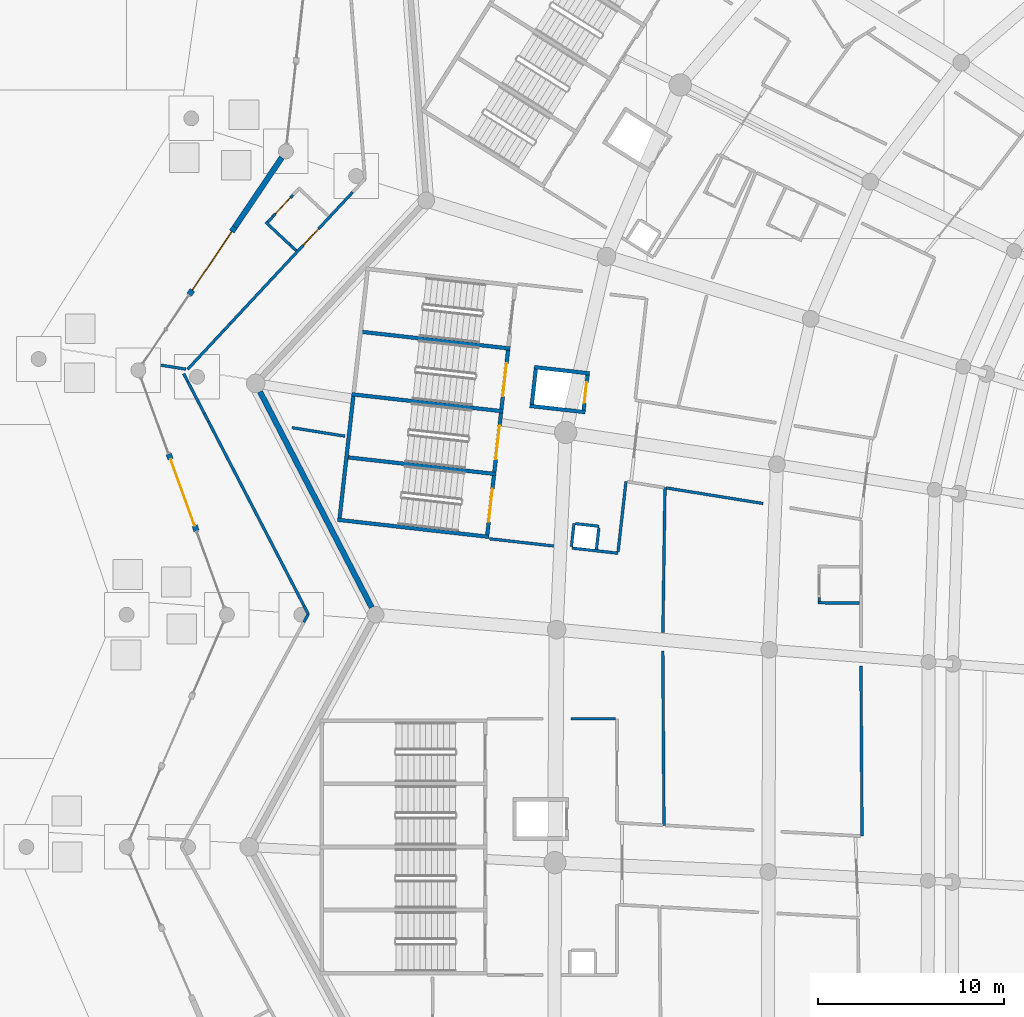
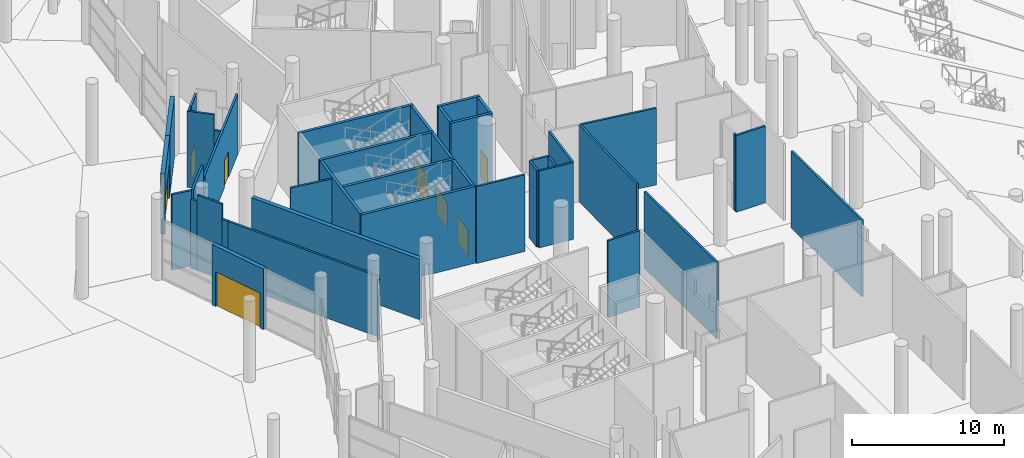
# One storey, part 134 of 255: 44 walls, 8 doors, 8 openings.
"""IFC4 building model written with IfcOpenShell, lengths in metres."""

import ifcopenshell
import ifcopenshell.guid

model = None  # the IFC model being written
_history = None  # IfcOwnerHistory: only IFC2X3 demands one
_inside = {}  # id of a spatial element -> (the spatial element, [elements in it])
_under = {}  # id of a project, library or spatial element -> (it, [spatial elements below it])
_declared = {}  # id of a project -> (the project, [libraries it declares])
_typed = {}  # id of a type object -> (the type object, [elements of that type])
_made_of = {}  # id of a material, layer set ... -> (it, [elements and type objects made of it])


def new_model(schema):
    """Start an empty IFC model of exactly this schema.

    Asked for "IFC4X3", IfcOpenShell would pick the latest addendum, in which some entities
    have other attributes; the version numbers below select the first issue.
    IFC2X3 requires an IfcOwnerHistory on every rooted entity: one is made here for all.
    """
    global model, _history
    if schema == "IFC4X3":
        model = ifcopenshell.file(schema_version=(4, 3, 0, 0))
    else:
        model = ifcopenshell.file(schema=schema)
    _inside.clear()
    _under.clear()
    _declared.clear()
    _typed.clear()
    _made_of.clear()
    _history = None
    if model.schema == "IFC2X3":
        org = make("IfcOrganization", Name="unknown")
        user = make(
            "IfcPersonAndOrganization",
            ThePerson=make("IfcPerson", FamilyName="unknown"),
            TheOrganization=org,
        )
        app = make(
            "IfcApplication",
            ApplicationDeveloper=org,
            Version="unknown",
            ApplicationFullName="unknown",
            ApplicationIdentifier="unknown",
        )
        _history = make(
            "IfcOwnerHistory",
            OwningUser=user,
            OwningApplication=app,
            ChangeAction="ADDED",
            CreationDate=0,
        )
    return model


def make(cls, **values):
    """One entity of the class cls with the attributes given. An attribute that is None is left unset."""
    return model.create_entity(
        cls, **{name: value for name, value in values.items() if value is not None}
    )


def rooted(cls, **values):
    """An entity with a GlobalId (a new one), such as an element, a storey or a relation."""
    return make(cls, GlobalId=ifcopenshell.guid.new(), OwnerHistory=_history, **values)


def si_unit(unit_type, name, prefix=None):
    """IfcSIUnit, for example si_unit("LENGTHUNIT", "METRE", prefix="MILLI")."""
    return make("IfcSIUnit", UnitType=unit_type, Prefix=prefix, Name=name)


def assignment(units):
    """IfcUnitAssignment: the units of a project."""
    return None if units is None else make("IfcUnitAssignment", Units=units)


def point(xyz):
    """IfcCartesianPoint."""
    return None if xyz is None else make("IfcCartesianPoint", Coordinates=xyz)


def direction(xyz):
    """IfcDirection."""
    return None if xyz is None else make("IfcDirection", DirectionRatios=xyz)


def frame(location, z_axis=None, x_axis=None):
    """IfcAxis2Placement3D, a coordinate frame: its origin and axes. An axis left out is left unset."""
    return make(
        "IfcAxis2Placement3D",
        Location=point(location),
        Axis=direction(z_axis),
        RefDirection=direction(x_axis),
    )


def frame_2d(location, x_axis=None):
    """IfcAxis2Placement2D, a coordinate frame in the plane: its origin and x axis."""
    return make(
        "IfcAxis2Placement2D", Location=point(location), RefDirection=direction(x_axis)
    )


def origin():
    """The frame at (0, 0, 0) with its axes left unset."""
    return frame((0.0, 0.0, 0.0))


def place(relative_to, where):
    """IfcLocalPlacement: puts the frame where relative to a parent placement (None: the world)."""
    return make(
        "IfcLocalPlacement", PlacementRelTo=relative_to, RelativePlacement=where
    )


def context(
    kind, dimensions, precision=None, world=None, true_north=None, identifier=None
):
    """IfcGeometricRepresentationContext, for example the 3D "Model" context."""
    return make(
        "IfcGeometricRepresentationContext",
        ContextIdentifier=identifier,
        ContextType=kind,
        CoordinateSpaceDimension=dimensions,
        Precision=precision,
        WorldCoordinateSystem=world,
        TrueNorth=true_north,
    )


def subcontext(parent, identifier, kind, view, scale=None):
    """IfcGeometricRepresentationSubContext, for example "Body" below "Model"."""
    return make(
        "IfcGeometricRepresentationSubContext",
        ContextIdentifier=identifier,
        ContextType=kind,
        ParentContext=parent,
        TargetScale=scale,
        TargetView=view,
    )


def project(units=None, contexts=None):
    """IfcProject with its units and contexts."""
    return rooted(
        "IfcProject",
        Name="project",
        RepresentationContexts=contexts,
        UnitsInContext=assignment(units),
    )


def spatial(cls, under=None, at=None, **own):
    """A site, building, storey or space (cls), placed at a placement, below another one or the project."""
    s = rooted(cls, ObjectPlacement=at, **own)
    if under is not None:
        _under.setdefault(under.id(), (under, []))[1].append(s)
    return s


def profile(cls, at=None, kind="AREA", **sizes):
    """A parametric profile (cls). Its sizes go by their IFC names, for example OverallWidth=200.0."""
    return make(cls, ProfileType=kind, Position=at, **sizes)


def rectangle(**sizes):
    """IfcRectangleProfileDef."""
    return profile("IfcRectangleProfileDef", **sizes)


def extrude(swept, where, along, depth):
    """IfcExtrudedAreaSolid: the profile swept, set in the frame where, extruded along a direction by depth."""
    return make(
        "IfcExtrudedAreaSolid",
        SweptArea=swept,
        Position=where,
        ExtrudedDirection=direction(along),
        Depth=depth,
    )


def shape(context_of_items, identifier, shape_type, items):
    """IfcShapeRepresentation: the items that make up one representation, for example the "Body"."""
    return make(
        "IfcShapeRepresentation",
        ContextOfItems=context_of_items,
        RepresentationIdentifier=identifier,
        RepresentationType=shape_type,
        Items=items,
    )


def material(Name=None, Category=None):
    """IfcMaterial."""
    return make("IfcMaterial", Name=Name, Category=Category)


def layer(
    of_material, thickness, ventilated=None, Name=None, Category=None, Priority=None
):
    """IfcMaterialLayer: one layer of a wall or slab, of a material (None: an air gap)."""
    return make(
        "IfcMaterialLayer",
        Material=of_material,
        LayerThickness=thickness,
        IsVentilated=ventilated,
        Name=Name,
        Category=Category,
        Priority=Priority,
    )


def layer_set(layers, Name=None):
    """IfcMaterialLayerSet."""
    return make("IfcMaterialLayerSet", MaterialLayers=layers, LayerSetName=Name)


def made_of(thing, what):
    """Note that an element or type object is made of a material, layer set ...; save() writes the relation."""
    if what is not None:
        _made_of.setdefault(what.id(), (what, []))[1].append(thing)
    return thing


def type_object(cls, material=None, **own):
    """A type object (cls), such as IfcWallType, which elements share."""
    return made_of(rooted(cls, **own), material)


def element(
    cls,
    number,
    at=None,
    inside=None,
    cuts=None,
    type_object=None,
    material=None,
    context=None,
    identifier="Body",
    shape_type=None,
    held_by="IfcProductDefinitionShape",
    body=None,
    shapes=None,
    **own,
):
    """One element of the class cls, such as IfcWall. Its Tag is "e" and its number.

    at: its placement. inside: the storey or other place that contains it. cuts: it is an
    opening in that element (IfcRelVoidsElement). A single representation is given by context,
    identifier, shape_type and body (its items); several are given by shapes. held_by: the class
    of the entity that holds the representations. save() writes the other relations.
    """
    e = rooted(cls, Tag="e%d" % number, ObjectPlacement=at, **own)
    if body is not None:
        shapes = [shape(context, identifier, shape_type, body)]
    if shapes is not None:
        e.Representation = make(held_by, Representations=shapes)
    if inside is not None:
        _inside.setdefault(inside.id(), (inside, []))[1].append(e)
    if cuts is not None:
        rooted(
            "IfcRelVoidsElement", RelatingBuildingElement=cuts, RelatedOpeningElement=e
        )
    if type_object is not None:
        _typed.setdefault(type_object.id(), (type_object, []))[1].append(e)
    return made_of(e, material)


def fill(opening, filler):
    """IfcRelFillsElement: the door or window that sits in an opening."""
    return rooted(
        "IfcRelFillsElement",
        RelatingOpeningElement=opening,
        RelatedBuildingElement=filler,
    )


def aggregate(whole, parts):
    """IfcRelAggregates: a whole, such as a stair, and the parts it consists of."""
    return rooted("IfcRelAggregates", RelatingObject=whole, RelatedObjects=parts)


def save(model, path):
    """Write the relations noted so far, then the file.

    IfcRelAggregates (storeys below a building ...), IfcRelContainedInSpatialStructure (elements
    in a storey), IfcRelDefinesByType, IfcRelAssociatesMaterial and IfcRelDeclares: one each for
    every whole, place, type object, material and project.
    """
    for whole, parts in _under.values():
        aggregate(whole, parts)
    for where, things in _inside.values():
        rooted(
            "IfcRelContainedInSpatialStructure",
            RelatedElements=things,
            RelatingStructure=where,
        )
    for kind, things in _typed.values():
        rooted("IfcRelDefinesByType", RelatedObjects=things, RelatingType=kind)
    for what, things in _made_of.values():
        rooted("IfcRelAssociatesMaterial", RelatedObjects=things, RelatingMaterial=what)
    for by, libraries in _declared.values():
        rooted("IfcRelDeclares", RelatingContext=by, RelatedDefinitions=libraries)
    model.write(path)


model = new_model("IFC4")

# Units and contexts
model_context = context("Model", 3, precision=1e-05, world=origin(), true_north=direction((0.0, 1.0)))
body_context = subcontext(model_context, "Body", "Model", "MODEL_VIEW")
ifc_project = project(units=[si_unit("LENGTHUNIT", "METRE"), si_unit("AREAUNIT", "SQUARE_METRE"), si_unit("VOLUMEUNIT", "CUBIC_METRE"), si_unit("PLANEANGLEUNIT", "RADIAN"), si_unit("MASSUNIT", "GRAM", prefix="KILO")], contexts=[model_context])

# Site, building, storey
site_placement = place(None, origin())
site = spatial("IfcSite", under=ifc_project, at=site_placement, CompositionType="ELEMENT")
building_placement = place(site_placement, origin())
building = spatial("IfcBuilding", under=site, at=building_placement, Name="Meseta Stadium", CompositionType="ELEMENT")
storey_placement = place(building_placement, origin())
storey = spatial("IfcBuildingStorey", under=building, at=storey_placement, Name="L00", CompositionType="ELEMENT", Elevation=0.0)

# Walls
ifc_material_1 = material(Name="Concrete C40/50", Category="concrete")
ifc_layer_1 = layer(ifc_material_1, 0.199951171875)
ifc_layer_set_1 = layer_set([ifc_layer_1], Name="Core divider wall 200")
wall_type_1 = type_object("IfcWallType", Name="Core divider wall 200", PredefinedType="SHEAR", material=ifc_layer_set_1)
wall_1_placement = place(storey_placement, frame((-95.503662109375, 58.999267578125, 0.0), z_axis=(0.0, 0.0, 1.0), x_axis=(0.993710792168, -0.111977058046, 0.0)))
element("IfcWall", 1, at=wall_1_placement, inside=storey, type_object=wall_type_1, Name="Core 15 L00 stair A divider wall", PredefinedType="SHEAR", context=body_context, shape_type="SweptSolid", body=[
    extrude(rectangle(XDim=8.199951171875, YDim=0.199951171875, at=frame_2d((4.10009765625, 0.0))), origin(), (0.0, 0.0, 1.0), 6.14990234375),
])
wall_2_placement = place(storey_placement, frame((-96.264892578125, 52.241943359375, 0.0), z_axis=(0.0, 0.0, 1.0), x_axis=(0.993713731549, -0.111950970206, 0.0)))
element("IfcWall", 2, at=wall_2_placement, inside=storey, type_object=wall_type_1, Name="Core 15 L00 stair B divider wall", PredefinedType="SHEAR", context=body_context, shape_type="SweptSolid", body=[
    extrude(rectangle(XDim=8.19970703125, YDim=0.199951171875, at=frame_2d((4.099853515625, 0.0))), origin(), (0.0, 0.0, 1.0), 6.14990234375),
])
ifc_material_2 = material(Name="Concrete C40/50", Category="concrete")
ifc_layer_2 = layer(ifc_material_2, 0.199951171875)
ifc_layer_set_2 = layer_set([ifc_layer_2], Name="Core shaft wall 200")
wall_type_2 = type_object("IfcWallType", Name="Core shaft wall 200", PredefinedType="SHEAR", material=ifc_layer_set_2)
wall_3_placement = place(storey_placement, frame((-95.884521484375, 55.62060546875, 0.0), z_axis=(0.0, 0.0, 1.0), x_axis=(0.993711165474, -0.111973745194, 0.0)))
element("IfcWall", 3, at=wall_3_placement, inside=storey, type_object=wall_type_2, Name="Core 15 L00 stair wall shared", PredefinedType="SHEAR", context=body_context, shape_type="SweptSolid", body=[
    extrude(rectangle(XDim=8.2001953125, YDim=0.199951171875, at=frame_2d((4.10009765625, 0.0))), origin(), (0.0, 0.0, 1.0), 6.14990234375),
])
wall_4_placement = place(storey_placement, frame((-96.645751953125, 48.86328125, 0.0), z_axis=(0.0, 0.0, 1.0), x_axis=(0.993714104693, -0.111947658007, 0.0)))
element("IfcWall", 4, at=wall_4_placement, inside=storey, type_object=wall_type_2, Name="Core 15 L00 stair wall B-side", PredefinedType="SHEAR", context=body_context, shape_type="SweptSolid", body=[
    extrude(rectangle(XDim=8.199951171875, YDim=0.199951171875, at=frame_2d((4.10009765625, 0.0))), origin(), (0.0, 0.0, 1.0), 6.14990234375),
])
wall_5_placement = place(storey_placement, frame((-95.796142578125, 55.510009765625, 0.0), z_axis=(0.0, 0.0, 1.0), x_axis=(-0.111970106426, -0.993711575492, 0.0)))
element("IfcWall", 5, at=wall_5_placement, inside=storey, type_object=wall_type_2, Name="Core 15 L00 stair B outer end wall", PredefinedType="SHEAR", context=body_context, shape_type="SweptSolid", body=[
    extrude(rectangle(XDim=6.60009765625, YDim=0.199951171875, at=frame_2d((3.300048828125, 0.0))), origin(), (0.0, 0.0, 1.0), 6.14990234375),
])

# Wall, opening, door
wall_6_placement = place(storey_placement, frame((-87.4658203125, 57.992919921875, 0.0), z_axis=(0.0, 0.0, 1.0), x_axis=(-0.111997244021, -0.993708517288, 0.0)))
wall_6 = element("IfcWall", 6, at=wall_6_placement, inside=storey, type_object=wall_type_2, Name="Core 15 L00 stair A2 inner end wall", PredefinedType="SHEAR", context=body_context, shape_type="SweptSolid", body=[
    extrude(rectangle(XDim=3.199951171875, YDim=0.199951171875, at=frame_2d((1.60009765625, 0.0))), origin(), (0.0, 0.0, 1.0), 6.14990234375),
])
opening_1_placement = place(wall_6_placement, frame((0.699951171875, 0.0, 0.0)))
opening_1 = element("IfcOpeningElement", 7, at=opening_1_placement, cuts=wall_6, Name="Opening D204", PredefinedType="OPENING", context=body_context, shape_type="SweptSolid", body=[
    extrude(rectangle(XDim=1.800048828125, YDim=2.10009765625, at=frame_2d((0.89990234375, 1.050048828125))), frame((0.0, 0.10986328125, 0.0), z_axis=(0.0, -1.0, 0.0), x_axis=(1.0, 0.0, 0.0)), (0.0, 0.0, 1.0), 0.219970703125),
])
ifc_material_3 = material(Name="Steel", Category="steel")
door_type_1 = type_object("IfcDoorType", Name="Stair door 1800x2100", OperationType="DOUBLE_DOOR_SINGLE_SWING", PredefinedType="DOOR", material=ifc_material_3)
door_1_placement = place(opening_1_placement, origin())
door_1 = element("IfcDoor", 8, at=door_1_placement, inside=storey, type_object=door_type_1, Name="Stair A2 door 15 L00", OperationType="DOUBLE_DOOR_SINGLE_SWING", OverallHeight=2.10009765625, OverallWidth=1.800048828125, PredefinedType="DOOR", context=body_context, shape_type="SweptSolid", body=[
    extrude(rectangle(XDim=1.800048828125, YDim=2.10009765625, at=frame_2d((0.89990234375, 1.050048828125))), frame((0.0, 0.02490234375, 0.0), z_axis=(0.0, -1.0, 0.0), x_axis=(1.0, 0.0, 0.0)), (0.0, 0.0, 1.0), 0.050048828125),
])
fill(opening_1, door_1)

wall_7_placement = place(storey_placement, frame((-87.846435546875, 54.6142578125, 0.0), z_axis=(0.0, 0.0, 1.0), x_axis=(-0.112005735442, -0.993707560215, 0.0)))
wall_7 = element("IfcWall", 9, at=wall_7_placement, inside=storey, type_object=wall_type_2, Name="Core 15 L00 stair B1 inner end wall", PredefinedType="SHEAR", context=body_context, shape_type="SweptSolid", body=[
    extrude(rectangle(XDim=3.19970703125, YDim=0.199951171875, at=frame_2d((1.599853515625, 0.0))), origin(), (0.0, 0.0, 1.0), 6.14990234375),
])
opening_2_placement = place(wall_7_placement, frame((0.699951171875, 0.0, 0.0)))
opening_2 = element("IfcOpeningElement", 10, at=opening_2_placement, cuts=wall_7, Name="Opening D205", PredefinedType="OPENING", context=body_context, shape_type="SweptSolid", body=[
    extrude(rectangle(XDim=1.800048828125, YDim=2.10009765625, at=frame_2d((0.89990234375, 1.050048828125))), frame((0.0, 0.10986328125, 0.0), z_axis=(0.0, -1.0, 0.0), x_axis=(1.0, 0.0, 0.0)), (0.0, 0.0, 1.0), 0.219970703125),
])
door_2_placement = place(opening_2_placement, origin())
door_2 = element("IfcDoor", 11, at=door_2_placement, inside=storey, type_object=door_type_1, Name="Stair B1 door 15 L00", OperationType="DOUBLE_DOOR_SINGLE_SWING", OverallHeight=2.10009765625, OverallWidth=1.800048828125, PredefinedType="DOOR", context=body_context, shape_type="SweptSolid", body=[
    extrude(rectangle(XDim=1.800048828125, YDim=2.10009765625, at=frame_2d((0.89990234375, 1.050048828125))), frame((0.0, 0.02490234375, 0.0), z_axis=(0.0, -1.0, 0.0), x_axis=(1.0, 0.0, 0.0)), (0.0, 0.0, 1.0), 0.050048828125),
])
fill(opening_2, door_2)

wall_8_placement = place(storey_placement, frame((-88.227294921875, 51.235595703125, 0.0), z_axis=(0.0, 0.0, 1.0), x_axis=(-0.111930393474, -0.993716049491, 0.0)))
wall_8 = element("IfcWall", 12, at=wall_8_placement, inside=storey, type_object=wall_type_2, Name="Core 15 L00 stair B2 inner end wall", PredefinedType="SHEAR", context=body_context, shape_type="SweptSolid", body=[
    extrude(rectangle(XDim=3.19970703125, YDim=0.199951171875, at=frame_2d((1.599853515625, 0.0))), origin(), (0.0, 0.0, 1.0), 6.14990234375),
])
opening_3_placement = place(wall_8_placement, frame((0.699951171875, 0.0, 0.0)))
opening_3 = element("IfcOpeningElement", 13, at=opening_3_placement, cuts=wall_8, Name="Opening D206", PredefinedType="OPENING", context=body_context, shape_type="SweptSolid", body=[
    extrude(rectangle(XDim=1.800048828125, YDim=2.10009765625, at=frame_2d((0.89990234375, 1.050048828125))), frame((0.0, 0.10986328125, 0.0), z_axis=(0.0, -1.0, 0.0), x_axis=(1.0, 0.0, 0.0)), (0.0, 0.0, 1.0), 0.219970703125),
])
door_3_placement = place(opening_3_placement, origin())
door_3 = element("IfcDoor", 14, at=door_3_placement, inside=storey, type_object=door_type_1, Name="Stair B2 door 15 L00", OperationType="DOUBLE_DOOR_SINGLE_SWING", OverallHeight=2.10009765625, OverallWidth=1.800048828125, PredefinedType="DOOR", context=body_context, shape_type="SweptSolid", body=[
    extrude(rectangle(XDim=1.800048828125, YDim=2.10009765625, at=frame_2d((0.89990234375, 1.050048828125))), frame((0.0, 0.02490234375, 0.0), z_axis=(0.0, -1.0, 0.0), x_axis=(1.0, 0.0, 0.0)), (0.0, 0.0, 1.0), 0.050048828125),
])
fill(opening_3, door_3)

# Walls
for number, where, z_axis, x_axis, name in (
    (15, (-86.05908203125, 57.07958984375, 0.0), (0.0, 0.0, 1.0), (0.993718878013, -0.111905279056, 0.0), "Core 15 L00 lift shaft wall left"),
    (16, (-86.294189453125, 54.992919921875, 0.0), (0.0, 0.0, 1.0), (0.993709824566, -0.111985644439, 0.0), "Core 15 L00 lift shaft wall right"),
):
    element("IfcWall", number, at=place(storey_placement, frame(where, z_axis=z_axis, x_axis=x_axis)), inside=storey, type_object=wall_type_2, Name=name, PredefinedType="SHEAR", context=body_context, shape_type="SweptSolid", body=[
        extrude(rectangle(XDim=2.999755859375, YDim=0.199951171875, at=frame_2d((1.5, 0.0))), origin(), (0.0, 0.0, 1.0), 6.14990234375),
    ])
wall_9_placement = place(storey_placement, frame((-85.970947265625, 56.96923828125, 0.0), z_axis=(0.0, 0.0, 1.0), x_axis=(-0.112039012324, -0.993703808847, 0.0)))
element("IfcWall", 17, at=wall_9_placement, inside=storey, type_object=wall_type_2, Name="Core 15 L00 lift shaft back wall", PredefinedType="SHEAR", context=body_context, shape_type="SweptSolid", body=[
    extrude(rectangle(XDim=1.900146484375, YDim=0.199951171875, at=frame_2d((0.9501953125, 0.0))), origin(), (0.0, 0.0, 1.0), 6.14990234375),
])

# Wall, opening, door
wall_10_placement = place(storey_placement, frame((-83.188720703125, 56.65576171875, 0.0), z_axis=(0.0, 0.0, 1.0), x_axis=(-0.11191213732, -0.993718105662, 0.0)))
wall_10 = element("IfcWall", 18, at=wall_10_placement, inside=storey, type_object=wall_type_2, Name="Core 15 L00 lift shaft front wall", PredefinedType="SHEAR", context=body_context, shape_type="SweptSolid", body=[
    extrude(rectangle(XDim=1.900146484375, YDim=0.199951171875, at=frame_2d((0.9501953125, 0.0))), origin(), (0.0, 0.0, 1.0), 6.14990234375),
])
opening_4_placement = place(wall_10_placement, frame((0.39990234375, 0.0, 0.0)))
opening_4 = element("IfcOpeningElement", 19, at=opening_4_placement, cuts=wall_10, Name="Opening LD80", PredefinedType="OPENING", context=body_context, shape_type="SweptSolid", body=[
    extrude(rectangle(XDim=1.10009765625, YDim=2.10009765625, at=frame_2d((0.550048828125, 1.050048828125))), frame((0.0, 0.10986328125, 0.0), z_axis=(0.0, -1.0, 0.0), x_axis=(1.0, 0.0, 0.0)), (0.0, 0.0, 1.0), 0.219970703125),
])
ifc_material_4 = material(Name="Steel", Category="steel")
door_type_2 = type_object("IfcDoorType", Name="Lift landing door 1100x2100", OperationType="SLIDING_TO_LEFT", PredefinedType="DOOR", material=ifc_material_4)
door_4_placement = place(opening_4_placement, origin())
door_4 = element("IfcDoor", 20, at=door_4_placement, inside=storey, type_object=door_type_2, Name="Lift landing door LD80", OperationType="SLIDING_TO_RIGHT", OverallHeight=2.10009765625, OverallWidth=1.10009765625, PredefinedType="DOOR", context=body_context, shape_type="SweptSolid", body=[
    extrude(rectangle(XDim=1.10009765625, YDim=2.10009765625, at=frame_2d((0.550048828125, 1.050048828125))), frame((0.0, 0.02490234375, 0.0), z_axis=(0.0, -1.0, 0.0), x_axis=(1.0, 0.0, 0.0)), (0.0, 0.0, 1.0), 0.050048828125),
])
fill(opening_4, door_4)

# Walls
ifc_material_5 = material(Name="Masonry blockwork", Category="masonry")
ifc_layer_3 = layer(ifc_material_5, 0.14990234375)
ifc_layer_set_3 = layer_set([ifc_layer_3], Name="Partition 150")
wall_type_3 = type_object("IfcWallType", Name="Partition 150", PredefinedType="PARTITIONING", material=ifc_layer_set_3)
wall_11_placement = place(storey_placement, frame((-79.072265625, 32.41552734375, 0.0), z_axis=(0.0, 0.0, 1.0), x_axis=(-0.006628223816, 0.999978033083, 0.0)))
element("IfcWall", 21, at=wall_11_placement, inside=storey, type_object=wall_type_3, Name="Partition L00 L00-cell14-1-0", PredefinedType="PARTITIONING", context=body_context, shape_type="SweptSolid", body=[
    extrude(rectangle(XDim=9.392578125, YDim=0.14990234375, at=frame_2d((4.6962890625, 0.0))), origin(), (0.0, 0.0, 1.0), 6.14990234375),
])
wall_12_placement = place(storey_placement, frame((-79.130859375, 42.789794921875, 0.0), z_axis=(0.0, 0.0, 1.0), x_axis=(0.014366063558, 0.999896802784, 0.0)))
element("IfcWall", 22, at=wall_12_placement, inside=storey, type_object=wall_type_3, Name="Partition L00 L00-cell14-1-0", PredefinedType="PARTITIONING", context=body_context, shape_type="SweptSolid", body=[
    extrude(rectangle(XDim=7.80029296875, YDim=0.14990234375, at=frame_2d((3.900146484375, 0.0))), origin(), (0.0, 0.0, 1.0), 6.14990234375),
])
wall_13_placement = place(storey_placement, frame((-78.944091796875, 50.577392578125, 0.0), z_axis=(0.0, 0.0, 1.0), x_axis=(0.987278649512, -0.158999585591, 0.0)))
element("IfcWall", 23, at=wall_13_placement, inside=storey, type_object=wall_type_3, Name="Partition L00 L00-cell14-1-0", PredefinedType="PARTITIONING", context=body_context, shape_type="SweptSolid", body=[
    extrude(rectangle(XDim=5.2744140625, YDim=0.14990234375, at=frame_2d((2.63720703125, 0.0))), origin(), (0.0, 0.0, 1.0), 6.14990234375),
])
wall_14_placement = place(storey_placement, frame((-68.46630859375, 41.000732421875, 0.0), z_axis=(0.0, 0.0, 1.0), x_axis=(0.006150207172, -0.999981087297, 0.0)))
element("IfcWall", 24, at=wall_14_placement, inside=storey, type_object=wall_type_3, Name="Partition L00 L00-cell14-1-0", PredefinedType="PARTITIONING", context=body_context, shape_type="SweptSolid", body=[
    extrude(rectangle(XDim=9.169921875, YDim=0.14990234375, at=frame_2d((4.5849609375, 0.0))), origin(), (0.0, 0.0, 1.0), 6.14990234375),
])
wall_15_placement = place(storey_placement, frame((-99.100341796875, 53.82373046875, 0.0), z_axis=(0.0, 0.0, 1.0), x_axis=(0.987267596089, -0.159068204593, 0.0)))
element("IfcWall", 25, at=wall_15_placement, inside=storey, type_object=wall_type_3, Name="Partition L00 L00-cell14-2-0", PredefinedType="PARTITIONING", context=body_context, shape_type="SweptSolid", body=[
    extrude(rectangle(XDim=2.897705078125, YDim=0.14990234375, at=frame_2d((1.44873046875, 0.0))), origin(), (0.0, 0.0, 1.0), 6.14990234375),
])
wall_16_placement = place(storey_placement, frame((-81.675048828125, 38.14990234375, 0.0), z_axis=(0.0, 0.0, 1.0), x_axis=(-1.0, 0.0, 0.0)))
element("IfcWall", 26, at=wall_16_placement, inside=storey, type_object=wall_type_3, Name="Partition L00 L00-cell14-2-0", PredefinedType="PARTITIONING", context=body_context, shape_type="SweptSolid", body=[
    extrude(rectangle(XDim=2.41064453125, YDim=0.14990234375, at=frame_2d((1.205322265625, 0.0))), origin(), (0.0, 0.0, 1.0), 6.14990234375),
])
wall_17_placement = place(storey_placement, frame((-88.46875, 47.84130859375, 0.0), z_axis=(0.0, 0.0, 1.0), x_axis=(0.993720107873, -0.111894357364, 0.0)))
element("IfcWall", 27, at=wall_17_placement, inside=storey, type_object=wall_type_3, Name="Partition L00 L00-cell14-2-0", PredefinedType="PARTITIONING", context=body_context, shape_type="SweptSolid", body=[
    extrude(rectangle(XDim=3.480224609375, YDim=0.14990234375, at=frame_2d((1.740234375, 0.0))), origin(), (0.0, 0.0, 1.0), 6.14990234375),
])
wall_18_placement = place(storey_placement, frame((-84.022705078125, 47.340576171875, 0.0), z_axis=(0.0, 0.0, 1.0), x_axis=(0.993701549417, -0.112059049998, 0.0)))
element("IfcWall", 28, at=wall_18_placement, inside=storey, type_object=wall_type_3, Name="Partition L00 L00-cell14-2-0", PredefinedType="PARTITIONING", context=body_context, shape_type="SweptSolid", body=[
    extrude(rectangle(XDim=2.48583984375, YDim=0.14990234375, at=frame_2d((1.242919921875, 0.0))), origin(), (0.0, 0.0, 1.0), 6.14990234375),
])
wall_19_placement = place(storey_placement, frame((-81.544189453125, 47.13671875, 0.0), z_axis=(0.0, 0.0, 1.0), x_axis=(0.111997797138, 0.993708454949, 0.0)))
element("IfcWall", 29, at=wall_19_placement, inside=storey, type_object=wall_type_3, Name="Partition L00 L00-cell14-2-0", PredefinedType="PARTITIONING", context=body_context, shape_type="SweptSolid", body=[
    extrude(rectangle(XDim=3.814697265625, YDim=0.14990234375, at=frame_2d((1.9072265625, 0.0))), origin(), (0.0, 0.0, 1.0), 6.14990234375),
])

# Wall, opening, door
wall_20_placement = place(storey_placement, frame((-95.830078125, 66.4990234375, 0.0), z_axis=(0.0, 0.0, 1.0), x_axis=(-0.681777855642, -0.731559263188, 0.0)))
wall_20 = element("IfcWall", 30, at=wall_20_placement, inside=storey, type_object=wall_type_3, Name="Partition L00 L00-ring13-0", PredefinedType="PARTITIONING", context=body_context, shape_type="SweptSolid", body=[
    extrude(rectangle(XDim=9.661376953125, YDim=0.14990234375, at=frame_2d((4.83056640625, 0.0))), origin(), (0.0, 0.0, 1.0), 4.85009765625),
])
opening_5_placement = place(wall_20_placement, frame((2.699951171875, 0.0, 0.0)))
opening_5 = element("IfcOpeningElement", 31, at=opening_5_placement, cuts=wall_20, Name="Opening D627", PredefinedType="OPENING", context=body_context, shape_type="SweptSolid", body=[
    extrude(rectangle(XDim=1.199951171875, YDim=2.10009765625, at=frame_2d((0.60009765625, 1.050048828125))), frame((0.0, 0.0849609375, 0.0), z_axis=(0.0, -1.0, 0.0), x_axis=(1.0, 0.0, 0.0)), (0.0, 0.0, 1.0), 0.169921875),
])
ifc_material_6 = material(Name="Steel", Category="steel")
door_type_3 = type_object("IfcDoorType", Name="Fire door 1200x2100 EI2 60", OperationType="NOTDEFINED", PredefinedType="DOOR", material=ifc_material_6)
door_5_placement = place(opening_5_placement, origin())
door_5 = element("IfcDoor", 32, at=door_5_placement, inside=storey, type_object=door_type_3, Name="Door D627", OperationType="SINGLE_SWING_LEFT", OverallHeight=2.10009765625, OverallWidth=1.199951171875, PredefinedType="DOOR", context=body_context, shape_type="SweptSolid", body=[
    extrude(rectangle(XDim=1.199951171875, YDim=2.10009765625, at=frame_2d((0.60009765625, 1.050048828125))), frame((0.0, 0.02490234375, 0.0), z_axis=(0.0, -1.0, 0.0), x_axis=(1.0, 0.0, 0.0)), (0.0, 0.0, 1.0), 0.050048828125),
])
fill(opening_5, door_5)

# Walls
wall_21_placement = place(storey_placement, frame((-102.4169921875, 59.43115234375, 0.0), z_axis=(0.0, 0.0, 1.0), x_axis=(-0.682174204559, -0.731189684442, 0.0)))
element("IfcWall", 33, at=wall_21_placement, inside=storey, type_object=wall_type_3, Name="Partition L00 L00-ring13-0", PredefinedType="PARTITIONING", context=body_context, shape_type="SweptSolid", body=[
    extrude(rectangle(XDim=0.483154296875, YDim=0.14990234375, at=frame_2d((0.24169921875, 0.0))), origin(), (0.0, 0.0, 1.0), 4.85009765625),
])
wall_22_placement = place(storey_placement, frame((-102.74658203125, 59.077880859375, 0.0), z_axis=(0.0, 0.0, 1.0), x_axis=(-0.681777855642, -0.731559263188, 0.0)))
element("IfcWall", 34, at=wall_22_placement, inside=storey, type_object=wall_type_3, Name="Partition L00 L00-ring13-0", PredefinedType="PARTITIONING", context=body_context, shape_type="SweptSolid", body=[
    extrude(rectangle(XDim=2.8984375, YDim=0.14990234375, at=frame_2d((1.44921875, 0.0))), origin(), (0.0, 0.0, 1.0), 6.050048828125),
])
wall_23_placement = place(storey_placement, frame((-104.811767578125, 56.971923828125, 0.0), z_axis=(0.0, 0.0, 1.0), x_axis=(-0.987295384086, 0.158895640477, 0.0)))
element("IfcWall", 35, at=wall_23_placement, inside=storey, type_object=wall_type_3, Name="Partition L00 L00-ring13-0", PredefinedType="PARTITIONING", context=body_context, shape_type="SweptSolid", body=[
    extrude(rectangle(XDim=1.367431640625, YDim=0.14990234375, at=frame_2d((0.68359375, 0.0))), origin(), (0.0, 0.0, 1.0), 6.050048828125),
])
wall_24_placement = place(storey_placement, frame((-104.930908203125, 56.734130859375, 0.0), z_axis=(0.0, 0.0, 1.0), x_axis=(0.460023957555, -0.887906503228, 0.0)))
element("IfcWall", 36, at=wall_24_placement, inside=storey, type_object=wall_type_3, Name="Partition L00 L00-ring14-0", PredefinedType="PARTITIONING", context=body_context, shape_type="SweptSolid", body=[
    extrude(rectangle(XDim=0.486083984375, YDim=0.14990234375, at=frame_2d((0.2431640625, 0.0))), origin(), (0.0, 0.0, 1.0), 5.550048828125),
])
wall_25_placement = place(storey_placement, frame((-104.707275390625, 56.302490234375, 0.0), z_axis=(0.0, 0.0, 1.0), x_axis=(0.459976248991, -0.887931219388, 0.0)))
element("IfcWall", 37, at=wall_25_placement, inside=storey, type_object=wall_type_3, Name="Partition L00 L00-ring14-0", PredefinedType="PARTITIONING", context=body_context, shape_type="SweptSolid", body=[
    extrude(rectangle(XDim=1.944091796875, YDim=0.14990234375, at=frame_2d((0.97216796875, 0.0))), origin(), (0.0, 0.0, 1.0), 6.050048828125),
])
wall_26_placement = place(storey_placement, frame((-103.81298828125, 54.576171875, 0.0), z_axis=(0.0, 0.0, 1.0), x_axis=(0.460023957555, -0.887906503228, 0.0)))
element("IfcWall", 38, at=wall_26_placement, inside=storey, type_object=wall_type_3, Name="Partition L00 L00-ring14-0", PredefinedType="PARTITIONING", context=body_context, shape_type="SweptSolid", body=[
    extrude(rectangle(XDim=0.486083984375, YDim=0.14990234375, at=frame_2d((0.2431640625, 0.0))), origin(), (0.0, 0.0, 1.0), 4.85009765625),
])
wall_27_placement = place(storey_placement, frame((-103.58935546875, 54.14453125, 0.0), z_axis=(0.0, 0.0, 1.0), x_axis=(0.460025827264, -0.887905534531, 0.0)))
element("IfcWall", 39, at=wall_27_placement, inside=storey, type_object=wall_type_3, Name="Partition L00 L00-ring14-0", PredefinedType="PARTITIONING", context=body_context, shape_type="SweptSolid", body=[
    extrude(rectangle(XDim=11.179443359375, YDim=0.14990234375, at=frame_2d((5.58984375, 0.0))), origin(), (0.0, 0.0, 1.0), 4.85009765625),
])
wall_28_placement = place(storey_placement, frame((-98.446533203125, 44.21826171875, 0.0), z_axis=(0.0, 0.0, 1.0), x_axis=(0.460023957555, -0.887906503228, 0.0)))
element("IfcWall", 40, at=wall_28_placement, inside=storey, type_object=wall_type_3, Name="Partition L00 L00-ring14-0", PredefinedType="PARTITIONING", context=body_context, shape_type="SweptSolid", body=[
    extrude(rectangle(XDim=0.486083984375, YDim=0.14990234375, at=frame_2d((0.2431640625, 0.0))), origin(), (0.0, 0.0, 1.0), 4.85009765625),
])
wall_29_placement = place(storey_placement, frame((-98.222900390625, 43.78662109375, 0.0), z_axis=(0.0, 0.0, 1.0), x_axis=(-0.477952432103, -0.878385719742, 0.0)))
element("IfcWall", 41, at=wall_29_placement, inside=storey, type_object=wall_type_3, Name="Partition L00 L00-ring14-0", PredefinedType="PARTITIONING", context=body_context, shape_type="SweptSolid", body=[
    extrude(rectangle(XDim=0.494384765625, YDim=0.14990234375, at=frame_2d((0.2470703125, 0.0))), origin(), (0.0, 0.0, 1.0), 4.85009765625),
])
wall_30_placement = place(storey_placement, frame((-83.913330078125, 48.66162109375, 0.0), z_axis=(0.0, 0.0, 1.0), x_axis=(-0.111804424032, -0.993730230378, 0.0)))
element("IfcWall", 42, at=wall_30_placement, inside=storey, type_object=wall_type_3, Name="Pressurisation shaft wall L00 core 15", PredefinedType="PARTITIONING", context=body_context, shape_type="SweptSolid", body=[
    extrude(rectangle(XDim=1.2490234375, YDim=0.14990234375, at=frame_2d((0.62451171875, 0.0))), origin(), (0.0, 0.0, 1.0), 6.14990234375),
])
wall_31_placement = place(storey_placement, frame((-82.711669921875, 47.269287109375, 0.0), z_axis=(0.0, 0.0, 1.0), x_axis=(0.112097694808, 0.993697190707, 0.0)))
element("IfcWall", 43, at=wall_31_placement, inside=storey, type_object=wall_type_3, Name="Pressurisation shaft wall L00 core 15", PredefinedType="PARTITIONING", context=body_context, shape_type="SweptSolid", body=[
    extrude(rectangle(XDim=1.173828125, YDim=0.14990234375, at=frame_2d((0.5869140625, 0.0))), origin(), (0.0, 0.0, 1.0), 6.14990234375),
])
wall_32_placement = place(storey_placement, frame((-82.57177734375, 48.510498046875, 0.0), z_axis=(0.0, 0.0, 1.0), x_axis=(-0.993726262285, 0.111839687257, 0.0)))
element("IfcWall", 44, at=wall_32_placement, inside=storey, type_object=wall_type_3, Name="Pressurisation shaft wall L00 core 15", PredefinedType="PARTITIONING", context=body_context, shape_type="SweptSolid", body=[
    extrude(rectangle(XDim=1.27490234375, YDim=0.14990234375, at=frame_2d((0.637451171875, 0.0))), origin(), (0.0, 0.0, 1.0), 6.14990234375),
])
wall_33_placement = place(storey_placement, frame((-68.53857421875, 44.38720703125, 0.0), z_axis=(0.0, 0.0, 1.0), x_axis=(-0.999998092657, 0.001953121275, 0.0)))
element("IfcWall", 45, at=wall_33_placement, inside=storey, type_object=wall_type_3, Name="Partition L00 L00-cell14-1-0 vestibule", PredefinedType="PARTITIONING", context=body_context, shape_type="SweptSolid", body=[
    extrude(rectangle(XDim=2.25, YDim=0.14990234375, at=frame_2d((1.125, 0.0))), origin(), (0.0, 0.0, 1.0), 6.14990234375),
])
wall_34_placement = place(storey_placement, frame((-70.713134765625, 44.66650390625, 0.0), z_axis=(0.0, 0.0, 1.0), x_axis=(-0.001221000311, -0.999999254579, 0.0)))
element("IfcWall", 46, at=wall_34_placement, inside=storey, type_object=wall_type_3, Name="Partition L00 L00-cell14-1-0 vestibule", PredefinedType="PARTITIONING", context=body_context, shape_type="SweptSolid", body=[
    extrude(rectangle(XDim=0.199951171875, YDim=0.14990234375, at=frame_2d((0.10009765625, 0.0))), origin(), (0.0, 0.0, 1.0), 6.14990234375),
])
wall_35_placement = place(storey_placement, frame((-98.86767578125, 63.349609375, 0.0), z_axis=(0.0, 0.0, 1.0), x_axis=(-0.731614107718, 0.68171900178, 0.0)))
element("IfcWall", 47, at=wall_35_placement, inside=storey, type_object=wall_type_3, Name="Partition L00 L00-ring13-0 vestibule", PredefinedType="PARTITIONING", context=body_context, shape_type="SweptSolid", body=[
    extrude(rectangle(XDim=0.4501953125, YDim=0.14990234375, at=frame_2d((0.22509765625, 0.0))), origin(), (0.0, 0.0, 1.0), 4.85009765625),
])
wall_36_placement = place(storey_placement, frame((-99.197021484375, 63.656494140625, 0.0), z_axis=(0.0, 0.0, 1.0), x_axis=(-0.731492637247, 0.68184933941, 0.0)))
element("IfcWall", 48, at=wall_36_placement, inside=storey, type_object=wall_type_3, Name="Partition L00 L00-ring13-0 vestibule", PredefinedType="PARTITIONING", context=body_context, shape_type="SweptSolid", body=[
    extrude(rectangle(XDim=1.800048828125, YDim=0.14990234375, at=frame_2d((0.89990234375, 0.0))), origin(), (0.0, 0.0, 1.0), 6.10009765625),
])

# Wall, opening, door
wall_37_placement = place(storey_placement, frame((-99.044189453125, 66.3505859375, 0.0), z_axis=(0.0, 0.0, 1.0), x_axis=(-0.681720030966, -0.73161314872, 0.0)))
wall_37 = element("IfcWall", 49, at=wall_37_placement, inside=storey, type_object=wall_type_3, Name="Partition L00 L00-ring13-0 vestibule", PredefinedType="PARTITIONING", context=body_context, shape_type="SweptSolid", body=[
    extrude(rectangle(XDim=1.60009765625, YDim=0.14990234375, at=frame_2d((0.800048828125, 0.0))), origin(), (0.0, 0.0, 1.0), 6.10009765625),
])
opening_6_placement = place(wall_37_placement, frame((0.199951171875, 0.0, 0.0)))
opening_6 = element("IfcOpeningElement", 50, at=opening_6_placement, cuts=wall_37, Name="Opening D877", PredefinedType="OPENING", context=body_context, shape_type="SweptSolid", body=[
    extrude(rectangle(XDim=1.199951171875, YDim=2.10009765625, at=frame_2d((0.60009765625, 1.050048828125))), frame((0.0, 0.0849609375, 0.0), z_axis=(0.0, -1.0, 0.0), x_axis=(1.0, 0.0, 0.0)), (0.0, 0.0, 1.0), 0.169921875),
])
door_6_placement = place(opening_6_placement, origin())
door_6 = element("IfcDoor", 51, at=door_6_placement, inside=storey, type_object=door_type_3, Name="Vestibule door L00 L00-ring13-0", OperationType="SINGLE_SWING_RIGHT", OverallHeight=2.10009765625, OverallWidth=1.199951171875, PredefinedType="DOOR", context=body_context, shape_type="SweptSolid", body=[
    extrude(rectangle(XDim=1.199951171875, YDim=2.10009765625, at=frame_2d((0.60009765625, 1.050048828125))), frame((0.0, 0.02490234375, 0.0), z_axis=(0.0, -1.0, 0.0), x_axis=(1.0, 0.0, 0.0)), (0.0, 0.0, 1.0), 0.050048828125),
])
fill(opening_6, door_6)

# Walls
wall_38_placement = place(storey_placement, frame((-100.135009765625, 65.179931640625, 0.0), z_axis=(0.0, 0.0, 1.0), x_axis=(-0.681948372008, -0.73140031304, 0.0)))
element("IfcWall", 52, at=wall_38_placement, inside=storey, type_object=wall_type_3, Name="Partition L00 L00-ring13-0 vestibule", PredefinedType="PARTITIONING", context=body_context, shape_type="SweptSolid", body=[
    extrude(rectangle(XDim=0.39990234375, YDim=0.14990234375, at=frame_2d((0.199951171875, 0.0))), origin(), (0.0, 0.0, 1.0), 6.10009765625),
])
ifc_material_7 = material(Name="White precast concrete C40/50", Category="concrete")
ifc_layer_4 = layer(ifc_material_7, 0.300048828125)
ifc_layer_set_4 = layer_set([ifc_layer_4], Name="Pleated panel wall 300 concourse")
wall_type_4 = type_object("IfcWallType", Name="Pleated panel wall 300 concourse", PredefinedType="SOLIDWALL", material=ifc_layer_set_4)
wall_39_placement = place(storey_placement, frame((-94.806884765625, 44.1494140625, 0.0), z_axis=(0.0, 0.0, 1.0), x_axis=(-0.460021193284, 0.887907935391, 0.0)))
element("IfcWall", 53, at=wall_39_placement, inside=storey, type_object=wall_type_4, Name="Pleated facade panel L00 F28", PredefinedType="SOLIDWALL", context=body_context, shape_type="SweptSolid", body=[
    extrude(rectangle(XDim=13.0751953125, YDim=0.300048828125, at=frame_2d((6.53759765625, 0.0))), origin(), (0.0, 0.0, 1.0), 4.85009765625),
])

# Wall, opening, door
ifc_material_8 = material(Name="Precast concrete C40/50", Category="concrete")
ifc_layer_5 = layer(ifc_material_8, 0.300048828125)
ifc_layer_set_5 = layer_set([ifc_layer_5], Name="Ring facade panel wall 300")
wall_type_5 = type_object("IfcWallType", Name="Ring facade panel wall 300", PredefinedType="SOLIDWALL", material=ifc_layer_set_5)
wall_40_placement = place(storey_placement, frame((-104.628662109375, 60.980712890625, 0.0), z_axis=(0.0, 0.0, 1.0), x_axis=(0.559365163907, 0.828921355382, 0.0)))
wall_40 = element("IfcWall", 54, at=wall_40_placement, inside=storey, type_object=wall_type_5, Name="Ring facade panel wall F27", PredefinedType="SOLIDWALL", context=body_context, shape_type="SweptSolid", body=[
    extrude(rectangle(XDim=4.39990234375, YDim=0.300048828125, at=frame_2d((2.199951171875, 0.0))), origin(), (0.0, 0.0, 1.0), 4.85009765625),
])
opening_7_placement = place(wall_40_placement, frame((0.300048828125, 0.0, 0.0)))
opening_7 = element("IfcOpeningElement", 55, at=opening_7_placement, cuts=wall_40, Name="Opening D951", PredefinedType="OPENING", context=body_context, shape_type="SweptSolid", body=[
    extrude(rectangle(XDim=3.800048828125, YDim=2.800048828125, at=frame_2d((1.89990234375, 1.39990234375))), frame((0.0, 0.159912109375, 0.0), z_axis=(0.0, -1.0, 0.0), x_axis=(1.0, 0.0, 0.0)), (0.0, 0.0, 1.0), 0.320068359375),
])
ifc_material_9 = material(Name="Steel", Category="steel")
door_type_4 = type_object("IfcDoorType", Name="Final exit door 3800x2800", OperationType="DOUBLE_DOOR_SINGLE_SWING", PredefinedType="DOOR", material=ifc_material_9)
door_7_placement = place(opening_7_placement, origin())
door_7 = element("IfcDoor", 56, at=door_7_placement, inside=storey, type_object=door_type_4, Name="Final exit F16", OperationType="DOUBLE_DOOR_SINGLE_SWING", OverallHeight=2.800048828125, OverallWidth=3.800048828125, PredefinedType="DOOR", context=body_context, shape_type="SweptSolid", body=[
    extrude(rectangle(XDim=3.800048828125, YDim=2.800048828125, at=frame_2d((1.89990234375, 1.39990234375))), frame((0.0, 0.02490234375, 0.0), z_axis=(0.0, -1.0, 0.0), x_axis=(1.0, 0.0, 0.0)), (0.0, 0.0, 1.0), 0.050048828125),
])
fill(opening_7, door_7)

# Wall
wall_41_placement = place(storey_placement, frame((-102.16748046875, 64.6279296875, 0.0), z_axis=(0.0, 0.0, 1.0), x_axis=(0.55936860857, 0.828919030875, 0.0)))
element("IfcWall", 57, at=wall_41_placement, inside=storey, type_object=wall_type_5, Name="Ring store panel wall F27a", PredefinedType="SOLIDWALL", context=body_context, shape_type="SweptSolid", body=[
    extrude(rectangle(XDim=4.505126953125, YDim=0.300048828125, at=frame_2d((2.25244140625, 0.0))), origin(), (0.0, 0.0, 1.0), 4.85009765625),
])

# Wall, opening, door
wall_42_placement = place(storey_placement, frame((-104.236328125, 48.26416015625, 0.0), z_axis=(0.0, 0.0, 1.0), x_axis=(-0.340789515436, 0.940139620572, 0.0)))
wall_42 = element("IfcWall", 58, at=wall_42_placement, inside=storey, type_object=wall_type_5, Name="Ring facade panel wall F28", PredefinedType="SOLIDWALL", context=body_context, shape_type="SweptSolid", body=[
    extrude(rectangle(XDim=4.400146484375, YDim=0.300048828125, at=frame_2d((2.2001953125, 0.0))), origin(), (0.0, 0.0, 1.0), 4.85009765625),
])
opening_8_placement = place(wall_42_placement, frame((0.300048828125, 0.0, 0.0)))
opening_8 = element("IfcOpeningElement", 59, at=opening_8_placement, cuts=wall_42, Name="Opening D952", PredefinedType="OPENING", context=body_context, shape_type="SweptSolid", body=[
    extrude(rectangle(XDim=3.800048828125, YDim=2.800048828125, at=frame_2d((1.89990234375, 1.39990234375))), frame((0.0, 0.159912109375, 0.0), z_axis=(0.0, -1.0, 0.0), x_axis=(1.0, 0.0, 0.0)), (0.0, 0.0, 1.0), 0.320068359375),
])
door_8_placement = place(opening_8_placement, origin())
door_8 = element("IfcDoor", 60, at=door_8_placement, inside=storey, type_object=door_type_4, Name="Final exit F17", OperationType="DOUBLE_DOOR_SINGLE_SWING", OverallHeight=2.800048828125, OverallWidth=3.800048828125, PredefinedType="DOOR", context=body_context, shape_type="SweptSolid", body=[
    extrude(rectangle(XDim=3.800048828125, YDim=2.800048828125, at=frame_2d((1.89990234375, 1.39990234375))), frame((0.0, 0.02490234375, 0.0), z_axis=(0.0, -1.0, 0.0), x_axis=(1.0, 0.0, 0.0)), (0.0, 0.0, 1.0), 0.050048828125),
])
fill(opening_8, door_8)

save(model, "model.ifc")
